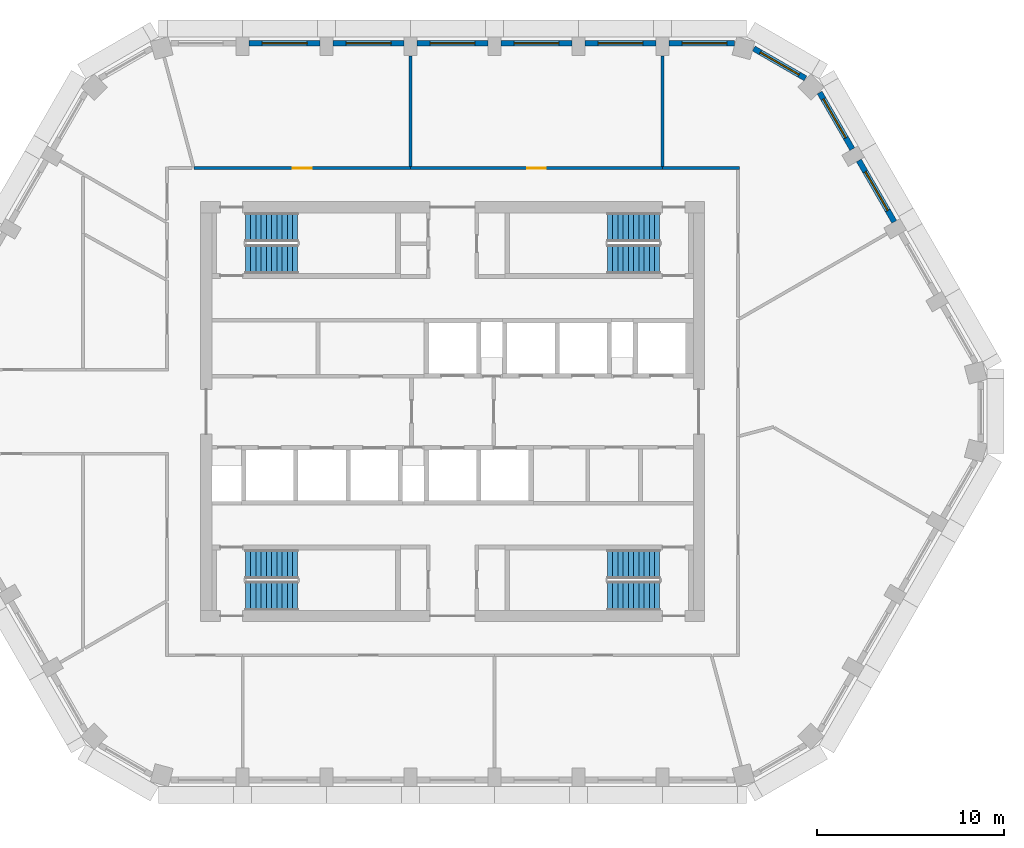
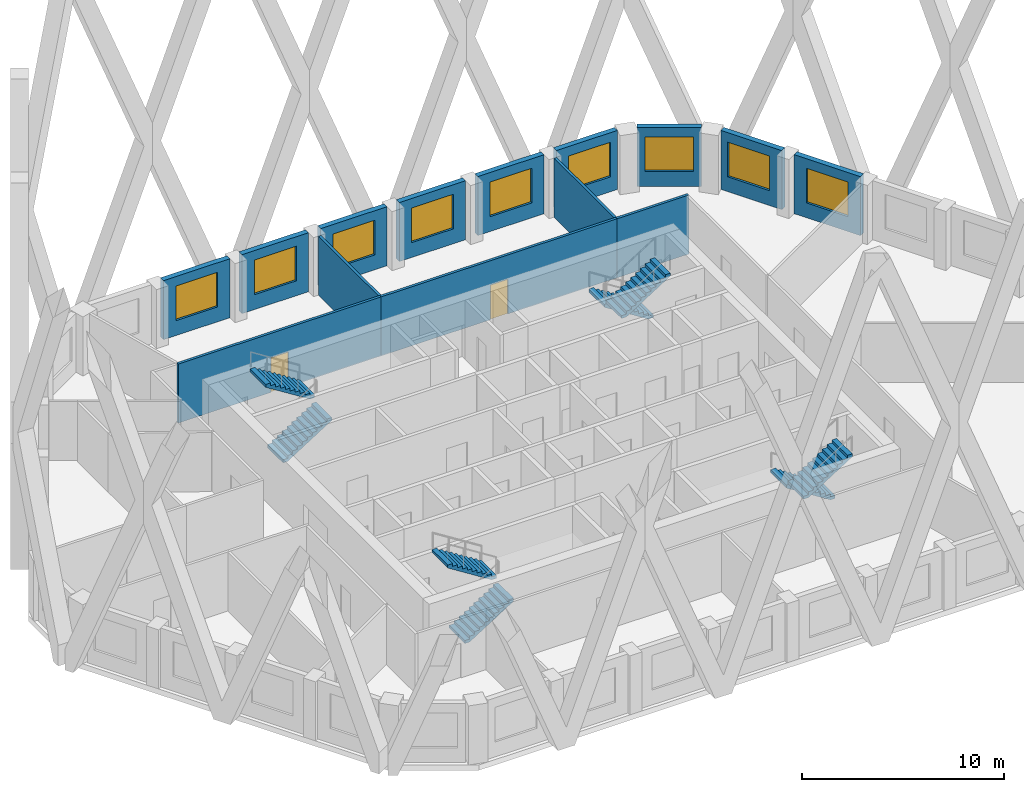
# One storey, part 6 of 13: 14 walls, 9 windows, 8 stair flights, 2 doors, 11 openings, 4 elements without a shape of their own.
"""IFC4 building model written with IfcOpenShell, lengths in metres."""

from ifc_helpers import new_model, si_unit, direction, frame, frame_2d, origin, place, context, subcontext, project, spatial, polyline, rectangle, outline, extrude, material, layer, layer_set, type_object, element, fill, aggregate, save


model = new_model("IFC4")

# Units and contexts
model_context = context("Model", 3, precision=1e-05, world=origin(), true_north=direction((0.0, 1.0)))
body_context = subcontext(model_context, "Body", "Model", "MODEL_VIEW")
ifc_project = project(units=[si_unit("LENGTHUNIT", "METRE"), si_unit("AREAUNIT", "SQUARE_METRE"), si_unit("VOLUMEUNIT", "CUBIC_METRE"), si_unit("PLANEANGLEUNIT", "RADIAN"), si_unit("MASSUNIT", "GRAM", prefix="KILO")], contexts=[model_context])

# Site, building, storey
site_placement = place(None, origin())
site = spatial("IfcSite", under=ifc_project, at=site_placement, CompositionType="ELEMENT")
building_placement = place(site_placement, origin())
building = spatial("IfcBuilding", under=site, at=building_placement, Name="Dhurran Vertical Campus", CompositionType="ELEMENT")
storey_placement = place(building_placement, frame((0.0, 0.0, 258.60009765625)))
storey = spatial("IfcBuildingStorey", under=building, at=storey_placement, Name="L64", CompositionType="ELEMENT", Elevation=258.60009765625)

# Wall, opening, window
ifc_material_1 = material(Name="Precast concrete C50/60", Category="concrete")
ifc_layer_1 = layer(ifc_material_1, 0.300048828125)
ifc_layer_set_1 = layer_set([ifc_layer_1], Name="Precast concrete C50/60")
wall_type_1 = type_object("IfcWallType", Name="Precast spandrel wall 300", PredefinedType="SOLIDWALL", material=ifc_layer_set_1)
wall_1_placement = place(storey_placement, frame((23.668701171875, 10.1728515625, 0.0), z_axis=(0.0, 0.0, 1.0), x_axis=(-0.499982058975, 0.866035761792, 0.0)))
wall_1 = element("IfcWall", 1, at=wall_1_placement, inside=storey, type_object=wall_type_1, Name="EW1 L64.15", PredefinedType="SOLIDWALL", context=body_context, shape_type="SweptSolid", body=[
    extrude(rectangle(XDim=3.799072265625, YDim=0.300048828125, at=frame_2d((1.8994140625, 0.0))), origin(), (0.0, 0.0, 1.0), 3.574951171875),
])
opening_1_placement = place(wall_1_placement, frame((0.699462890625, 0.0, 0.89990234375)))
opening_1 = element("IfcOpeningElement", 2, at=opening_1_placement, cuts=wall_1, Name="Opening WT1", PredefinedType="OPENING", context=body_context, shape_type="SweptSolid", body=[
    extrude(rectangle(XDim=2.39990234375, YDim=2.10009765625, at=frame_2d((1.199951171875, 1.050048828125))), frame((0.0, 0.159912109375, 0.0), z_axis=(0.0, -1.0, 0.0), x_axis=(1.0, 0.0, 0.0)), (0.0, 0.0, 1.0), 0.320068359375),
])
ifc_material_2 = material(Name="Aluminium frame with solar-control glass", Category="aluminium")
window_type = type_object("IfcWindowType", Name="Punched window 2400 x 2100", PartitioningType="SINGLE_PANEL", PredefinedType="WINDOW", material=ifc_material_2)
window_1_placement = place(opening_1_placement, origin())
window_1 = element("IfcWindow", 3, at=window_1_placement, inside=storey, type_object=window_type, Name="WT1 L64.15", OverallHeight=2.10009765625, OverallWidth=2.39990234375, PartitioningType="SINGLE_PANEL", PredefinedType="WINDOW", context=body_context, shape_type="SweptSolid", body=[
    extrude(rectangle(XDim=2.39990234375, YDim=2.10009765625, at=frame_2d((1.199951171875, 1.050048828125))), frame((0.0, 0.030029296875, 0.0), z_axis=(0.0, -1.0, 0.0), x_axis=(1.0, 0.0, 0.0)), (0.0, 0.0, 1.0), 0.06005859375),
])
fill(opening_1, window_1)

wall_2_placement = place(storey_placement, frame((21.418701171875, 14.06982421875, 0.0), z_axis=(0.0, 0.0, 1.0), x_axis=(-0.499960102815, 0.866048437209, 0.0)))
wall_2 = element("IfcWall", 4, at=wall_2_placement, inside=storey, type_object=wall_type_1, Name="EW1 L64.16", PredefinedType="SOLIDWALL", context=body_context, shape_type="SweptSolid", body=[
    extrude(rectangle(XDim=3.497802734375, YDim=0.300048828125, at=frame_2d((1.7490234375, 0.0))), origin(), (0.0, 0.0, 1.0), 3.574951171875),
])
opening_2_placement = place(wall_2_placement, frame((0.699462890625, 0.0, 0.89990234375)))
opening_2 = element("IfcOpeningElement", 5, at=opening_2_placement, cuts=wall_2, Name="Opening WT1", PredefinedType="OPENING", context=body_context, shape_type="SweptSolid", body=[
    extrude(rectangle(XDim=2.39990234375, YDim=2.10009765625, at=frame_2d((1.199951171875, 1.050048828125))), frame((0.0, 0.159912109375, 0.0), z_axis=(0.0, -1.0, 0.0), x_axis=(1.0, 0.0, 0.0)), (0.0, 0.0, 1.0), 0.320068359375),
])
window_2_placement = place(opening_2_placement, origin())
window_2 = element("IfcWindow", 6, at=window_2_placement, inside=storey, type_object=window_type, Name="WT1 L64.16", OverallHeight=2.10009765625, OverallWidth=2.39990234375, PartitioningType="SINGLE_PANEL", PredefinedType="WINDOW", context=body_context, shape_type="SweptSolid", body=[
    extrude(rectangle(XDim=2.39990234375, YDim=2.10009765625, at=frame_2d((1.199951171875, 1.050048828125))), frame((0.0, 0.030029296875, 0.0), z_axis=(0.0, -1.0, 0.0), x_axis=(1.0, 0.0, 0.0)), (0.0, 0.0, 1.0), 0.06005859375),
])
fill(opening_2, window_2)

wall_3_placement = place(storey_placement, frame((18.90771484375, 17.861328125, 0.0), z_axis=(0.0, 0.0, 1.0), x_axis=(-0.866025316205, 0.500000151692, 0.0)))
wall_3 = element("IfcWall", 7, at=wall_3_placement, inside=storey, type_object=wall_type_1, Name="EW1 L64.17", PredefinedType="SOLIDWALL", context=body_context, shape_type="SweptSolid", body=[
    extrude(rectangle(XDim=3.1962890625, YDim=0.300048828125, at=frame_2d((1.59814453125, 0.0))), origin(), (0.0, 0.0, 1.0), 3.574951171875),
])
opening_3_placement = place(wall_3_placement, frame((0.398193359375, 0.0, 0.89990234375)))
opening_3 = element("IfcOpeningElement", 8, at=opening_3_placement, cuts=wall_3, Name="Opening WT1", PredefinedType="OPENING", context=body_context, shape_type="SweptSolid", body=[
    extrude(rectangle(XDim=2.39990234375, YDim=2.10009765625, at=frame_2d((1.199951171875, 1.050048828125))), frame((0.0, 0.159912109375, 0.0), z_axis=(0.0, -1.0, 0.0), x_axis=(1.0, 0.0, 0.0)), (0.0, 0.0, 1.0), 0.320068359375),
])
window_3_placement = place(opening_3_placement, origin())
window_3 = element("IfcWindow", 9, at=window_3_placement, inside=storey, type_object=window_type, Name="WT1 L64.17", OverallHeight=2.10009765625, OverallWidth=2.39990234375, PartitioningType="SINGLE_PANEL", PredefinedType="WINDOW", context=body_context, shape_type="SweptSolid", body=[
    extrude(rectangle(XDim=2.39990234375, YDim=2.10009765625, at=frame_2d((1.199951171875, 1.050048828125))), frame((0.0, 0.030029296875, 0.0), z_axis=(0.0, -1.0, 0.0), x_axis=(1.0, 0.0, 0.0)), (0.0, 0.0, 1.0), 0.06005859375),
])
fill(opening_3, window_3)

wall_4_placement = place(storey_placement, frame((15.09814453125, 19.738525390625, 0.0), z_axis=(0.0, 0.0, 1.0), x_axis=(-1.0, 0.0, 0.0)))
wall_4 = element("IfcWall", 10, at=wall_4_placement, inside=storey, type_object=wall_type_1, Name="EW1 L64.18", PredefinedType="SOLIDWALL", context=body_context, shape_type="SweptSolid", body=[
    extrude(rectangle(XDim=3.49755859375, YDim=0.300048828125, at=frame_2d((1.748779296875, 0.0))), origin(), (0.0, 0.0, 1.0), 3.574951171875),
])
opening_4_placement = place(wall_4_placement, frame((0.398193359375, 0.0, 0.89990234375)))
opening_4 = element("IfcOpeningElement", 11, at=opening_4_placement, cuts=wall_4, Name="Opening WT1", PredefinedType="OPENING", context=body_context, shape_type="SweptSolid", body=[
    extrude(rectangle(XDim=2.39990234375, YDim=2.10009765625, at=frame_2d((1.199951171875, 1.050048828125))), frame((0.0, 0.159912109375, 0.0), z_axis=(0.0, -1.0, 0.0), x_axis=(1.0, 0.0, 0.0)), (0.0, 0.0, 1.0), 0.320068359375),
])
window_4_placement = place(opening_4_placement, origin())
window_4 = element("IfcWindow", 12, at=window_4_placement, inside=storey, type_object=window_type, Name="WT1 L64.18", OverallHeight=2.10009765625, OverallWidth=2.39990234375, PartitioningType="SINGLE_PANEL", PredefinedType="WINDOW", context=body_context, shape_type="SweptSolid", body=[
    extrude(rectangle(XDim=2.39990234375, YDim=2.10009765625, at=frame_2d((1.199951171875, 1.050048828125))), frame((0.0, 0.030029296875, 0.0), z_axis=(0.0, -1.0, 0.0), x_axis=(1.0, 0.0, 0.0)), (0.0, 0.0, 1.0), 0.06005859375),
])
fill(opening_4, window_4)

wall_5_placement = place(storey_placement, frame((10.8994140625, 19.738525390625, 0.0), z_axis=(0.0, 0.0, 1.0), x_axis=(-1.0, 0.0, 0.0)))
wall_5 = element("IfcWall", 13, at=wall_5_placement, inside=storey, type_object=wall_type_1, Name="EW1 L64.19", PredefinedType="SOLIDWALL", context=body_context, shape_type="SweptSolid", body=[
    extrude(rectangle(XDim=3.798828125, YDim=0.300048828125, at=frame_2d((1.8994140625, 0.0))), origin(), (0.0, 0.0, 1.0), 3.574951171875),
])
opening_5_placement = place(wall_5_placement, frame((0.699462890625, 0.0, 0.89990234375)))
opening_5 = element("IfcOpeningElement", 14, at=opening_5_placement, cuts=wall_5, Name="Opening WT1", PredefinedType="OPENING", context=body_context, shape_type="SweptSolid", body=[
    extrude(rectangle(XDim=2.39990234375, YDim=2.10009765625, at=frame_2d((1.199951171875, 1.050048828125))), frame((0.0, 0.159912109375, 0.0), z_axis=(0.0, -1.0, 0.0), x_axis=(1.0, 0.0, 0.0)), (0.0, 0.0, 1.0), 0.320068359375),
])
window_5_placement = place(opening_5_placement, origin())
window_5 = element("IfcWindow", 15, at=window_5_placement, inside=storey, type_object=window_type, Name="WT1 L64.19", OverallHeight=2.10009765625, OverallWidth=2.39990234375, PartitioningType="SINGLE_PANEL", PredefinedType="WINDOW", context=body_context, shape_type="SweptSolid", body=[
    extrude(rectangle(XDim=2.39990234375, YDim=2.10009765625, at=frame_2d((1.199951171875, 1.050048828125))), frame((0.0, 0.030029296875, 0.0), z_axis=(0.0, -1.0, 0.0), x_axis=(1.0, 0.0, 0.0)), (0.0, 0.0, 1.0), 0.06005859375),
])
fill(opening_5, window_5)

wall_6_placement = place(storey_placement, frame((6.3994140625, 19.738525390625, 0.0), z_axis=(0.0, 0.0, 1.0), x_axis=(-1.0, 0.0, 0.0)))
wall_6 = element("IfcWall", 16, at=wall_6_placement, inside=storey, type_object=wall_type_1, Name="EW1 L64.20", PredefinedType="SOLIDWALL", context=body_context, shape_type="SweptSolid", body=[
    extrude(rectangle(XDim=3.798828125, YDim=0.300048828125, at=frame_2d((1.8994140625, 0.0))), origin(), (0.0, 0.0, 1.0), 3.574951171875),
])
opening_6_placement = place(wall_6_placement, frame((0.699462890625, 0.0, 0.89990234375)))
opening_6 = element("IfcOpeningElement", 17, at=opening_6_placement, cuts=wall_6, Name="Opening WT1", PredefinedType="OPENING", context=body_context, shape_type="SweptSolid", body=[
    extrude(rectangle(XDim=2.39990234375, YDim=2.10009765625, at=frame_2d((1.199951171875, 1.050048828125))), frame((0.0, 0.159912109375, 0.0), z_axis=(0.0, -1.0, 0.0), x_axis=(1.0, 0.0, 0.0)), (0.0, 0.0, 1.0), 0.320068359375),
])
window_6_placement = place(opening_6_placement, origin())
window_6 = element("IfcWindow", 18, at=window_6_placement, inside=storey, type_object=window_type, Name="WT1 L64.20", OverallHeight=2.10009765625, OverallWidth=2.39990234375, PartitioningType="SINGLE_PANEL", PredefinedType="WINDOW", context=body_context, shape_type="SweptSolid", body=[
    extrude(rectangle(XDim=2.39990234375, YDim=2.10009765625, at=frame_2d((1.199951171875, 1.050048828125))), frame((0.0, 0.030029296875, 0.0), z_axis=(0.0, -1.0, 0.0), x_axis=(1.0, 0.0, 0.0)), (0.0, 0.0, 1.0), 0.06005859375),
])
fill(opening_6, window_6)

wall_7_placement = place(storey_placement, frame((1.8994140625, 19.738525390625, 0.0), z_axis=(0.0, 0.0, 1.0), x_axis=(-1.0, 0.0, 0.0)))
wall_7 = element("IfcWall", 19, at=wall_7_placement, inside=storey, type_object=wall_type_1, Name="EW1 L64.21", PredefinedType="SOLIDWALL", context=body_context, shape_type="SweptSolid", body=[
    extrude(rectangle(XDim=3.798828125, YDim=0.300048828125, at=frame_2d((1.8994140625, 0.0))), origin(), (0.0, 0.0, 1.0), 3.574951171875),
])
opening_7_placement = place(wall_7_placement, frame((0.699462890625, 0.0, 0.89990234375)))
opening_7 = element("IfcOpeningElement", 20, at=opening_7_placement, cuts=wall_7, Name="Opening WT1", PredefinedType="OPENING", context=body_context, shape_type="SweptSolid", body=[
    extrude(rectangle(XDim=2.39990234375, YDim=2.10009765625, at=frame_2d((1.199951171875, 1.050048828125))), frame((0.0, 0.159912109375, 0.0), z_axis=(0.0, -1.0, 0.0), x_axis=(1.0, 0.0, 0.0)), (0.0, 0.0, 1.0), 0.320068359375),
])
window_7_placement = place(opening_7_placement, origin())
window_7 = element("IfcWindow", 21, at=window_7_placement, inside=storey, type_object=window_type, Name="WT1 L64.21", OverallHeight=2.10009765625, OverallWidth=2.39990234375, PartitioningType="SINGLE_PANEL", PredefinedType="WINDOW", context=body_context, shape_type="SweptSolid", body=[
    extrude(rectangle(XDim=2.39990234375, YDim=2.10009765625, at=frame_2d((1.199951171875, 1.050048828125))), frame((0.0, 0.030029296875, 0.0), z_axis=(0.0, -1.0, 0.0), x_axis=(1.0, 0.0, 0.0)), (0.0, 0.0, 1.0), 0.06005859375),
])
fill(opening_7, window_7)

wall_8_placement = place(storey_placement, frame((-2.6005859375, 19.738525390625, 0.0), z_axis=(0.0, 0.0, 1.0), x_axis=(-1.0, 0.0, 0.0)))
wall_8 = element("IfcWall", 22, at=wall_8_placement, inside=storey, type_object=wall_type_1, Name="EW1 L64.22", PredefinedType="SOLIDWALL", context=body_context, shape_type="SweptSolid", body=[
    extrude(rectangle(XDim=3.798828125, YDim=0.300048828125, at=frame_2d((1.8994140625, 0.0))), origin(), (0.0, 0.0, 1.0), 3.574951171875),
])
opening_8_placement = place(wall_8_placement, frame((0.699462890625, 0.0, 0.89990234375)))
opening_8 = element("IfcOpeningElement", 23, at=opening_8_placement, cuts=wall_8, Name="Opening WT1", PredefinedType="OPENING", context=body_context, shape_type="SweptSolid", body=[
    extrude(rectangle(XDim=2.39990234375, YDim=2.10009765625, at=frame_2d((1.199951171875, 1.050048828125))), frame((0.0, 0.159912109375, 0.0), z_axis=(0.0, -1.0, 0.0), x_axis=(1.0, 0.0, 0.0)), (0.0, 0.0, 1.0), 0.320068359375),
])
window_8_placement = place(opening_8_placement, origin())
window_8 = element("IfcWindow", 24, at=window_8_placement, inside=storey, type_object=window_type, Name="WT1 L64.22", OverallHeight=2.10009765625, OverallWidth=2.39990234375, PartitioningType="SINGLE_PANEL", PredefinedType="WINDOW", context=body_context, shape_type="SweptSolid", body=[
    extrude(rectangle(XDim=2.39990234375, YDim=2.10009765625, at=frame_2d((1.199951171875, 1.050048828125))), frame((0.0, 0.030029296875, 0.0), z_axis=(0.0, -1.0, 0.0), x_axis=(1.0, 0.0, 0.0)), (0.0, 0.0, 1.0), 0.06005859375),
])
fill(opening_8, window_8)

wall_9_placement = place(storey_placement, frame((-7.1005859375, 19.738525390625, 0.0), z_axis=(0.0, 0.0, 1.0), x_axis=(-1.0, 0.0, 0.0)))
wall_9 = element("IfcWall", 25, at=wall_9_placement, inside=storey, type_object=wall_type_1, Name="EW1 L64.23", PredefinedType="SOLIDWALL", context=body_context, shape_type="SweptSolid", body=[
    extrude(rectangle(XDim=3.798828125, YDim=0.300048828125, at=frame_2d((1.8994140625, 0.0))), origin(), (0.0, 0.0, 1.0), 3.574951171875),
])
opening_9_placement = place(wall_9_placement, frame((0.699462890625, 0.0, 0.89990234375)))
opening_9 = element("IfcOpeningElement", 26, at=opening_9_placement, cuts=wall_9, Name="Opening WT1", PredefinedType="OPENING", context=body_context, shape_type="SweptSolid", body=[
    extrude(rectangle(XDim=2.39990234375, YDim=2.10009765625, at=frame_2d((1.199951171875, 1.050048828125))), frame((0.0, 0.159912109375, 0.0), z_axis=(0.0, -1.0, 0.0), x_axis=(1.0, 0.0, 0.0)), (0.0, 0.0, 1.0), 0.320068359375),
])
window_9_placement = place(opening_9_placement, origin())
window_9 = element("IfcWindow", 27, at=window_9_placement, inside=storey, type_object=window_type, Name="WT1 L64.23", OverallHeight=2.10009765625, OverallWidth=2.39990234375, PartitioningType="SINGLE_PANEL", PredefinedType="WINDOW", context=body_context, shape_type="SweptSolid", body=[
    extrude(rectangle(XDim=2.39990234375, YDim=2.10009765625, at=frame_2d((1.199951171875, 1.050048828125))), frame((0.0, 0.030029296875, 0.0), z_axis=(0.0, -1.0, 0.0), x_axis=(1.0, 0.0, 0.0)), (0.0, 0.0, 1.0), 0.06005859375),
])
fill(opening_9, window_9)

# Wall, opening, door
ifc_material_3 = material(Name="Gypsum board corridor wall on steel studs", Category="steel")
ifc_layer_2 = layer(ifc_material_3, 0.14990234375)
ifc_layer_set_2 = layer_set([ifc_layer_2], Name="Gypsum board corridor wall on steel studs")
wall_type_2 = type_object("IfcWallType", Name="fl-CW-150 corridor wall", PredefinedType="PARTITIONING", material=ifc_layer_set_2)
wall_10_placement = place(storey_placement, frame((-2.25, 13.050048828125, 0.0), z_axis=(0.0, 0.0, 1.0), x_axis=(-1.0, 0.0, 0.0)))
wall_10 = element("IfcWall", 28, at=wall_10_placement, inside=storey, type_object=wall_type_2, Name="Partition 64-21", PredefinedType="PARTITIONING", context=body_context, shape_type="SweptSolid", body=[
    extrude(rectangle(XDim=11.614013671875, YDim=0.14990234375, at=frame_2d((5.80712890625, 0.0))), origin(), (0.0, 0.0, 1.0), 3.574951171875),
])
opening_10_placement = place(wall_10_placement, frame((5.306884765625, 0.0, 0.0)))
opening_10 = element("IfcOpeningElement", 29, at=opening_10_placement, cuts=wall_10, Name="Opening T19.08", PredefinedType="OPENING", context=body_context, shape_type="SweptSolid", body=[
    extrude(rectangle(XDim=1.0, YDim=2.10009765625, at=frame_2d((0.5, 1.050048828125))), frame((0.0, 0.0849609375, 0.0), z_axis=(0.0, -1.0, 0.0), x_axis=(1.0, 0.0, 0.0)), (0.0, 0.0, 1.0), 0.169921875),
])
ifc_material_4 = material(Name="Solid-core timber door set, fire-rated", Category="wood")
door_type = type_object("IfcDoorType", Name="fl-D-1000x2100", OperationType="SINGLE_SWING_LEFT", PredefinedType="DOOR", material=ifc_material_4)
door_1_placement = place(opening_10_placement, origin())
door_1 = element("IfcDoor", 30, at=door_1_placement, inside=storey, type_object=door_type, Name="Door 64.08", OperationType="SINGLE_SWING_LEFT", OverallHeight=2.10009765625, OverallWidth=1.0, PredefinedType="DOOR", context=body_context, shape_type="SweptSolid", body=[
    extrude(rectangle(XDim=1.0, YDim=2.10009765625, at=frame_2d((0.5, 1.050048828125))), frame((0.0, 0.02490234375, 0.0), z_axis=(0.0, -1.0, 0.0), x_axis=(1.0, 0.0, 0.0)), (0.0, 0.0, 1.0), 0.050048828125),
])
fill(opening_10, door_1)

wall_11_placement = place(storey_placement, frame((11.25, 13.050048828125, 0.0), z_axis=(0.0, 0.0, 1.0), x_axis=(-1.0, 0.0, 0.0)))
wall_11 = element("IfcWall", 31, at=wall_11_placement, inside=storey, type_object=wall_type_2, Name="Partition 64-25", PredefinedType="PARTITIONING", context=body_context, shape_type="SweptSolid", body=[
    extrude(rectangle(XDim=13.5, YDim=0.14990234375, at=frame_2d((6.75, 0.0))), origin(), (0.0, 0.0, 1.0), 3.574951171875),
])
opening_11_placement = place(wall_11_placement, frame((6.25, 0.0, 0.0)))
opening_11 = element("IfcOpeningElement", 32, at=opening_11_placement, cuts=wall_11, Name="Opening T19.10", PredefinedType="OPENING", context=body_context, shape_type="SweptSolid", body=[
    extrude(rectangle(XDim=1.0, YDim=2.10009765625, at=frame_2d((0.5, 1.050048828125))), frame((0.0, 0.0849609375, 0.0), z_axis=(0.0, -1.0, 0.0), x_axis=(1.0, 0.0, 0.0)), (0.0, 0.0, 1.0), 0.169921875),
])
door_2_placement = place(opening_11_placement, origin())
door_2 = element("IfcDoor", 33, at=door_2_placement, inside=storey, type_object=door_type, Name="Door 64.10", OperationType="SINGLE_SWING_LEFT", OverallHeight=2.10009765625, OverallWidth=1.0, PredefinedType="DOOR", context=body_context, shape_type="SweptSolid", body=[
    extrude(rectangle(XDim=1.0, YDim=2.10009765625, at=frame_2d((0.5, 1.050048828125))), frame((0.0, 0.02490234375, 0.0), z_axis=(0.0, -1.0, 0.0), x_axis=(1.0, 0.0, 0.0)), (0.0, 0.0, 1.0), 0.050048828125),
])
fill(opening_11, door_2)

# Walls
wall_12_placement = place(storey_placement, frame((15.375, 13.050048828125, 0.0), z_axis=(0.0, 0.0, 1.0), x_axis=(-1.0, 0.0, 0.0)))
element("IfcWall", 34, at=wall_12_placement, inside=storey, type_object=wall_type_2, Name="Partition 64-29", PredefinedType="PARTITIONING", context=body_context, shape_type="SweptSolid", body=[
    extrude(rectangle(XDim=4.125, YDim=0.14990234375, at=frame_2d((2.0625, 0.0))), origin(), (0.0, 0.0, 1.0), 3.574951171875),
])
ifc_material_5 = material(Name="Gypsum board partition on steel studs", Category="steel")
ifc_layer_3 = layer(ifc_material_5, 0.14990234375)
ifc_layer_set_3 = layer_set([ifc_layer_3], Name="Gypsum board partition on steel studs")
wall_type_3 = type_object("IfcWallType", Name="fl-PW-150 fixed partition", PredefinedType="PARTITIONING", material=ifc_layer_set_3)
for number, where, z_axis, x_axis, name in (
    (35, (-2.25, 19.068603515625, 0.0), (0.0, 0.0, 1.0), (0.0, -1.0, 0.0), "Partition 64-24"),
    (36, (11.25, 19.068603515625, 0.0), (0.0, 0.0, 1.0), (0.0, -1.0, 0.0), "Partition 64-28"),
):
    element("IfcWall", number, at=place(storey_placement, frame(where, z_axis=z_axis, x_axis=x_axis)), inside=storey, type_object=wall_type_3, Name=name, PredefinedType="PARTITIONING", context=body_context, shape_type="SweptSolid", body=[
        extrude(rectangle(XDim=5.943603515625, YDim=0.14990234375, at=frame_2d((2.9716796875, 0.0))), origin(), (0.0, 0.0, 1.0), 3.574951171875),
    ])

# Stair, stair flights
ifc_material_6 = material(Name="Concrete C40/50", Category="concrete")
stair_type = type_object("IfcStairType", Name="co-ST-CORE", PredefinedType="HALF_TURN_STAIR", material=ifc_material_6)
stair_1_placement = place(storey_placement, origin())
stair_1 = element("IfcStair", 37, at=stair_1_placement, inside=storey, type_object=stair_type, Name="L64 Protected exit stair ST1", PredefinedType="HALF_TURN_STAIR")
ifc_material_7 = material(Name="Concrete C40/50", Category="concrete")
stair_flight_type = type_object("IfcStairFlightType", Name="co-SFL-RC", PredefinedType="STRAIGHT", material=ifc_material_7)
stair_flight_1_placement = place(storey_placement, frame((-11.10009765625, 8.175048828125, 0.0), z_axis=(0.0, 0.0, 1.0), x_axis=(1.0, 0.0, 0.0)))
stair_flight_1 = element("IfcStairFlight", 38, at=stair_flight_1_placement, type_object=stair_flight_type, Name="ST1 flight 1", NumberOfRisers=11, NumberOfTreads=10, PredefinedType="STRAIGHT", RiserHeight=0.177272727, TreadLength=0.28, context=body_context, shape_type="SweptSolid", body=[
    extrude(outline(polyline([(0.0, 0.0), (0.0, 0.17724609375), (0.280029296875, 0.17724609375), (0.280029296875, 0.3544921875), (0.56005859375, 0.3544921875), (0.56005859375, 0.53173828125), (0.840087890625, 0.53173828125), (0.840087890625, 0.708984375), (1.1201171875, 0.708984375), (1.1201171875, 0.886474609375), (1.39990234375, 0.886474609375), (1.39990234375, 1.063720703125), (1.679931640625, 1.063720703125), (1.679931640625, 1.240966796875), (1.9599609375, 1.240966796875), (1.9599609375, 1.418212890625), (2.239990234375, 1.418212890625), (2.239990234375, 1.595458984375), (2.52001953125, 1.595458984375), (2.52001953125, 1.772705078125), (2.800048828125, 1.772705078125), (2.800048828125, 1.949951171875), (2.800048828125, 1.59521484375), (0.2802734375, 0.0), (0.0, 0.0)])), frame((0.0, 0.77490234375, 0.0), z_axis=(0.0, -1.0, 0.0), x_axis=(1.0, 0.0, 0.0)), (0.0, 0.0, 1.0), 1.550048828125),
])
stair_flight_2_placement = place(storey_placement, frame((-8.300048828125, 9.875, 1.949951171875), z_axis=(0.0, 0.0, 1.0), x_axis=(-1.0, 0.0, 0.0)))
stair_flight_2 = element("IfcStairFlight", 39, at=stair_flight_2_placement, type_object=stair_flight_type, Name="ST1 flight 2", NumberOfRisers=11, NumberOfTreads=10, PredefinedType="STRAIGHT", RiserHeight=0.177272727, TreadLength=0.28, context=body_context, shape_type="SweptSolid", body=[
    extrude(outline(polyline([(0.0, 0.0), (0.0, 0.17724609375), (0.280029296875, 0.17724609375), (0.280029296875, 0.3544921875), (0.56005859375, 0.3544921875), (0.56005859375, 0.53173828125), (0.840087890625, 0.53173828125), (0.840087890625, 0.708984375), (1.1201171875, 0.708984375), (1.1201171875, 0.886474609375), (1.39990234375, 0.886474609375), (1.39990234375, 1.063720703125), (1.679931640625, 1.063720703125), (1.679931640625, 1.240966796875), (1.9599609375, 1.240966796875), (1.9599609375, 1.418212890625), (2.239990234375, 1.418212890625), (2.239990234375, 1.595458984375), (2.52001953125, 1.595458984375), (2.52001953125, 1.772705078125), (2.800048828125, 1.772705078125), (2.800048828125, 1.949951171875), (2.800048828125, 1.59521484375), (0.2802734375, 0.0), (0.0, 0.0)])), frame((0.0, 0.77490234375, 0.0), z_axis=(0.0, -1.0, 0.0), x_axis=(1.0, 0.0, 0.0)), (0.0, 0.0, 1.0), 1.550048828125),
])
aggregate(stair_1, [stair_flight_1, stair_flight_2])

stair_2_placement = place(storey_placement, origin())
stair_2 = element("IfcStair", 40, at=stair_2_placement, inside=storey, type_object=stair_type, Name="L64 Protected exit stair ST2", PredefinedType="HALF_TURN_STAIR")
stair_flight_3_placement = place(storey_placement, frame((11.10009765625, 9.875, 0.0), z_axis=(0.0, 0.0, 1.0), x_axis=(-1.0, 0.0, 0.0)))
stair_flight_3 = element("IfcStairFlight", 41, at=stair_flight_3_placement, type_object=stair_flight_type, Name="ST2 flight 1", NumberOfRisers=11, NumberOfTreads=10, PredefinedType="STRAIGHT", RiserHeight=0.177272727, TreadLength=0.28, context=body_context, shape_type="SweptSolid", body=[
    extrude(outline(polyline([(0.0, 0.0), (0.0, 0.17724609375), (0.280029296875, 0.17724609375), (0.280029296875, 0.3544921875), (0.56005859375, 0.3544921875), (0.56005859375, 0.53173828125), (0.840087890625, 0.53173828125), (0.840087890625, 0.708984375), (1.1201171875, 0.708984375), (1.1201171875, 0.886474609375), (1.39990234375, 0.886474609375), (1.39990234375, 1.063720703125), (1.679931640625, 1.063720703125), (1.679931640625, 1.240966796875), (1.9599609375, 1.240966796875), (1.9599609375, 1.418212890625), (2.239990234375, 1.418212890625), (2.239990234375, 1.595458984375), (2.52001953125, 1.595458984375), (2.52001953125, 1.772705078125), (2.800048828125, 1.772705078125), (2.800048828125, 1.949951171875), (2.800048828125, 1.59521484375), (0.2802734375, 0.0), (0.0, 0.0)])), frame((0.0, 0.77490234375, 0.0), z_axis=(0.0, -1.0, 0.0), x_axis=(1.0, 0.0, 0.0)), (0.0, 0.0, 1.0), 1.550048828125),
])
stair_flight_4_placement = place(storey_placement, frame((8.300048828125, 8.175048828125, 1.949951171875), z_axis=(0.0, 0.0, 1.0), x_axis=(1.0, 0.0, 0.0)))
stair_flight_4 = element("IfcStairFlight", 42, at=stair_flight_4_placement, type_object=stair_flight_type, Name="ST2 flight 2", NumberOfRisers=11, NumberOfTreads=10, PredefinedType="STRAIGHT", RiserHeight=0.177272727, TreadLength=0.28, context=body_context, shape_type="SweptSolid", body=[
    extrude(outline(polyline([(0.0, 0.0), (0.0, 0.17724609375), (0.280029296875, 0.17724609375), (0.280029296875, 0.3544921875), (0.56005859375, 0.3544921875), (0.56005859375, 0.53173828125), (0.840087890625, 0.53173828125), (0.840087890625, 0.708984375), (1.1201171875, 0.708984375), (1.1201171875, 0.886474609375), (1.39990234375, 0.886474609375), (1.39990234375, 1.063720703125), (1.679931640625, 1.063720703125), (1.679931640625, 1.240966796875), (1.9599609375, 1.240966796875), (1.9599609375, 1.418212890625), (2.239990234375, 1.418212890625), (2.239990234375, 1.595458984375), (2.52001953125, 1.595458984375), (2.52001953125, 1.772705078125), (2.800048828125, 1.772705078125), (2.800048828125, 1.949951171875), (2.800048828125, 1.59521484375), (0.2802734375, 0.0), (0.0, 0.0)])), frame((0.0, 0.77490234375, 0.0), z_axis=(0.0, -1.0, 0.0), x_axis=(1.0, 0.0, 0.0)), (0.0, 0.0, 1.0), 1.550048828125),
])
aggregate(stair_2, [stair_flight_3, stair_flight_4])

stair_3_placement = place(storey_placement, origin())
stair_3 = element("IfcStair", 43, at=stair_3_placement, inside=storey, type_object=stair_type, Name="L64 Protected exit stair ST3", PredefinedType="HALF_TURN_STAIR")
stair_flight_5_placement = place(storey_placement, frame((-11.10009765625, -9.875, 0.0), z_axis=(0.0, 0.0, 1.0), x_axis=(1.0, 0.0, 0.0)))
stair_flight_5 = element("IfcStairFlight", 44, at=stair_flight_5_placement, type_object=stair_flight_type, Name="ST3 flight 1", NumberOfRisers=11, NumberOfTreads=10, PredefinedType="STRAIGHT", RiserHeight=0.177272727, TreadLength=0.28, context=body_context, shape_type="SweptSolid", body=[
    extrude(outline(polyline([(0.0, 0.0), (0.0, 0.17724609375), (0.280029296875, 0.17724609375), (0.280029296875, 0.3544921875), (0.56005859375, 0.3544921875), (0.56005859375, 0.53173828125), (0.840087890625, 0.53173828125), (0.840087890625, 0.708984375), (1.1201171875, 0.708984375), (1.1201171875, 0.886474609375), (1.39990234375, 0.886474609375), (1.39990234375, 1.063720703125), (1.679931640625, 1.063720703125), (1.679931640625, 1.240966796875), (1.9599609375, 1.240966796875), (1.9599609375, 1.418212890625), (2.239990234375, 1.418212890625), (2.239990234375, 1.595458984375), (2.52001953125, 1.595458984375), (2.52001953125, 1.772705078125), (2.800048828125, 1.772705078125), (2.800048828125, 1.949951171875), (2.800048828125, 1.59521484375), (0.2802734375, 0.0), (0.0, 0.0)])), frame((0.0, 0.77490234375, 0.0), z_axis=(0.0, -1.0, 0.0), x_axis=(1.0, 0.0, 0.0)), (0.0, 0.0, 1.0), 1.550048828125),
])
stair_flight_6_placement = place(storey_placement, frame((-8.300048828125, -8.175048828125, 1.949951171875), z_axis=(0.0, 0.0, 1.0), x_axis=(-1.0, 0.0, 0.0)))
stair_flight_6 = element("IfcStairFlight", 45, at=stair_flight_6_placement, type_object=stair_flight_type, Name="ST3 flight 2", NumberOfRisers=11, NumberOfTreads=10, PredefinedType="STRAIGHT", RiserHeight=0.177272727, TreadLength=0.28, context=body_context, shape_type="SweptSolid", body=[
    extrude(outline(polyline([(0.0, 0.0), (0.0, 0.17724609375), (0.280029296875, 0.17724609375), (0.280029296875, 0.3544921875), (0.56005859375, 0.3544921875), (0.56005859375, 0.53173828125), (0.840087890625, 0.53173828125), (0.840087890625, 0.708984375), (1.1201171875, 0.708984375), (1.1201171875, 0.886474609375), (1.39990234375, 0.886474609375), (1.39990234375, 1.063720703125), (1.679931640625, 1.063720703125), (1.679931640625, 1.240966796875), (1.9599609375, 1.240966796875), (1.9599609375, 1.418212890625), (2.239990234375, 1.418212890625), (2.239990234375, 1.595458984375), (2.52001953125, 1.595458984375), (2.52001953125, 1.772705078125), (2.800048828125, 1.772705078125), (2.800048828125, 1.949951171875), (2.800048828125, 1.59521484375), (0.2802734375, 0.0), (0.0, 0.0)])), frame((0.0, 0.77490234375, 0.0), z_axis=(0.0, -1.0, 0.0), x_axis=(1.0, 0.0, 0.0)), (0.0, 0.0, 1.0), 1.550048828125),
])
aggregate(stair_3, [stair_flight_5, stair_flight_6])

stair_4_placement = place(storey_placement, origin())
stair_4 = element("IfcStair", 46, at=stair_4_placement, inside=storey, type_object=stair_type, Name="L64 Protected exit stair ST4", PredefinedType="HALF_TURN_STAIR")
stair_flight_7_placement = place(storey_placement, frame((11.10009765625, -8.175048828125, 0.0), z_axis=(0.0, 0.0, 1.0), x_axis=(-1.0, 0.0, 0.0)))
stair_flight_7 = element("IfcStairFlight", 47, at=stair_flight_7_placement, type_object=stair_flight_type, Name="ST4 flight 1", NumberOfRisers=11, NumberOfTreads=10, PredefinedType="STRAIGHT", RiserHeight=0.177272727, TreadLength=0.28, context=body_context, shape_type="SweptSolid", body=[
    extrude(outline(polyline([(0.0, 0.0), (0.0, 0.17724609375), (0.280029296875, 0.17724609375), (0.280029296875, 0.3544921875), (0.56005859375, 0.3544921875), (0.56005859375, 0.53173828125), (0.840087890625, 0.53173828125), (0.840087890625, 0.708984375), (1.1201171875, 0.708984375), (1.1201171875, 0.886474609375), (1.39990234375, 0.886474609375), (1.39990234375, 1.063720703125), (1.679931640625, 1.063720703125), (1.679931640625, 1.240966796875), (1.9599609375, 1.240966796875), (1.9599609375, 1.418212890625), (2.239990234375, 1.418212890625), (2.239990234375, 1.595458984375), (2.52001953125, 1.595458984375), (2.52001953125, 1.772705078125), (2.800048828125, 1.772705078125), (2.800048828125, 1.949951171875), (2.800048828125, 1.59521484375), (0.2802734375, 0.0), (0.0, 0.0)])), frame((0.0, 0.77490234375, 0.0), z_axis=(0.0, -1.0, 0.0), x_axis=(1.0, 0.0, 0.0)), (0.0, 0.0, 1.0), 1.550048828125),
])
stair_flight_8_placement = place(storey_placement, frame((8.300048828125, -9.875, 1.949951171875), z_axis=(0.0, 0.0, 1.0), x_axis=(1.0, 0.0, 0.0)))
stair_flight_8 = element("IfcStairFlight", 48, at=stair_flight_8_placement, type_object=stair_flight_type, Name="ST4 flight 2", NumberOfRisers=11, NumberOfTreads=10, PredefinedType="STRAIGHT", RiserHeight=0.177272727, TreadLength=0.28, context=body_context, shape_type="SweptSolid", body=[
    extrude(outline(polyline([(0.0, 0.0), (0.0, 0.17724609375), (0.280029296875, 0.17724609375), (0.280029296875, 0.3544921875), (0.56005859375, 0.3544921875), (0.56005859375, 0.53173828125), (0.840087890625, 0.53173828125), (0.840087890625, 0.708984375), (1.1201171875, 0.708984375), (1.1201171875, 0.886474609375), (1.39990234375, 0.886474609375), (1.39990234375, 1.063720703125), (1.679931640625, 1.063720703125), (1.679931640625, 1.240966796875), (1.9599609375, 1.240966796875), (1.9599609375, 1.418212890625), (2.239990234375, 1.418212890625), (2.239990234375, 1.595458984375), (2.52001953125, 1.595458984375), (2.52001953125, 1.772705078125), (2.800048828125, 1.772705078125), (2.800048828125, 1.949951171875), (2.800048828125, 1.59521484375), (0.2802734375, 0.0), (0.0, 0.0)])), frame((0.0, 0.77490234375, 0.0), z_axis=(0.0, -1.0, 0.0), x_axis=(1.0, 0.0, 0.0)), (0.0, 0.0, 1.0), 1.550048828125),
])
aggregate(stair_4, [stair_flight_7, stair_flight_8])

save(model, "model.ifc")
